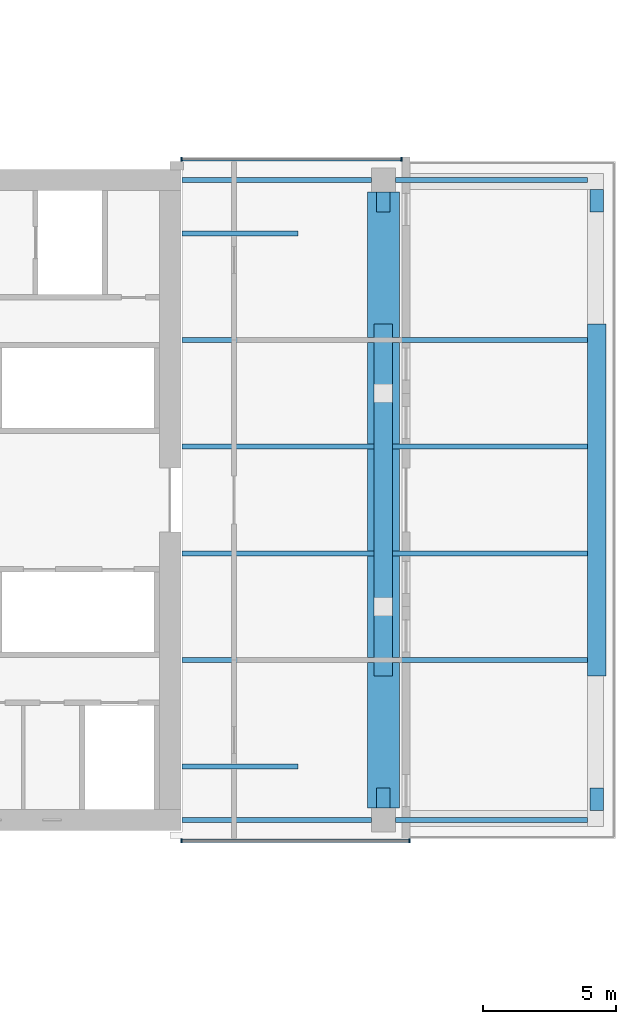
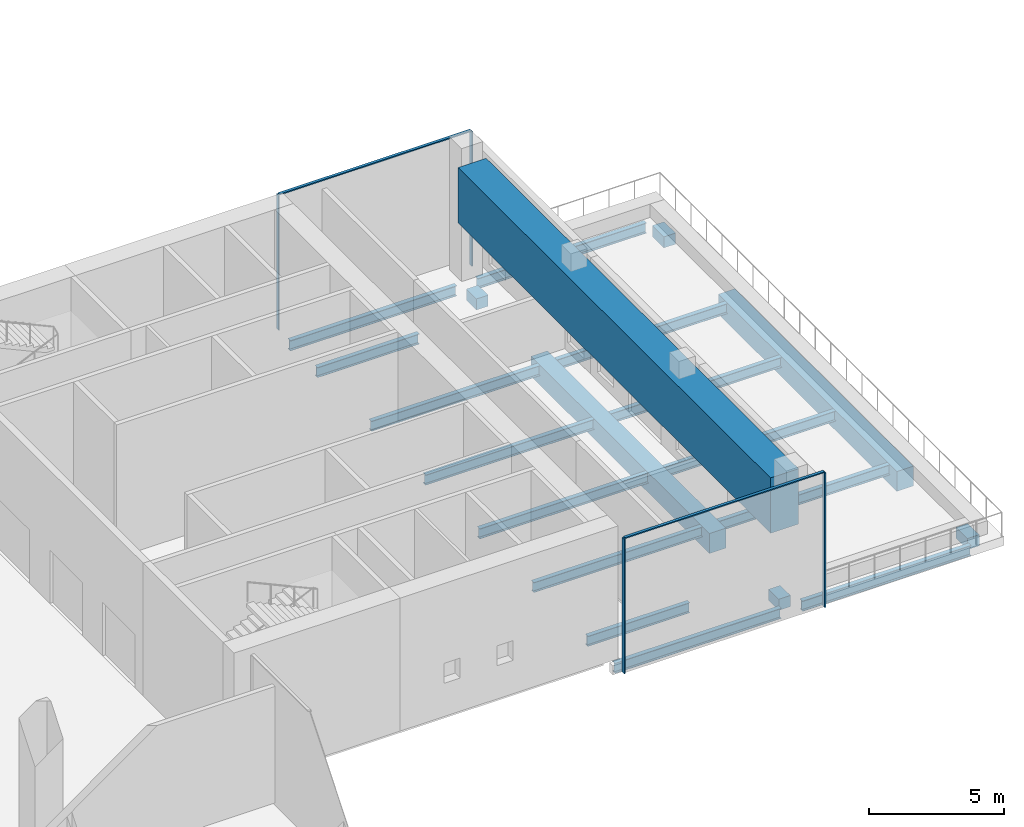
# One storey, part 10 of 23: 21 beams, 6 members, 2 elements without a shape of their own.
"""IFC4 building model written with IfcOpenShell, lengths in metres."""

from ifc_helpers import new_model, si_unit, direction, frame, origin, origin_2d, place, context, subcontext, project, spatial, rectangle, i_section, extrude, material, material_profile, profile_set, type_object, element, aggregate, save


model = new_model("IFC4")

# Units and contexts
model_context = context("Model", 3, precision=1e-05, world=origin(), true_north=direction((0.0, 1.0)))
body_context = subcontext(model_context, "Body", "Model", "MODEL_VIEW")
ifc_project = project(units=[si_unit("LENGTHUNIT", "METRE"), si_unit("AREAUNIT", "SQUARE_METRE"), si_unit("VOLUMEUNIT", "CUBIC_METRE"), si_unit("PLANEANGLEUNIT", "RADIAN"), si_unit("MASSUNIT", "GRAM", prefix="KILO")], contexts=[model_context])

# Site, building, storey
site_placement = place(None, origin())
site = spatial("IfcSite", under=ifc_project, at=site_placement, CompositionType="ELEMENT")
building_placement = place(site_placement, origin())
building = spatial("IfcBuilding", under=site, at=building_placement, Name="Crosswind Convention Tower", CompositionType="ELEMENT")
storey_placement = place(building_placement, frame((0.0, 0.0, 47.5)))
storey = spatial("IfcBuildingStorey", under=building, at=storey_placement, Name="L06", CompositionType="ELEMENT", Elevation=47.5)

# Beams
ifc_material_1 = material(Name="Steel S355", Category="steel")
ifc_material_profile_1 = material_profile(ifc_material_1, i_section(OverallWidth=0.19189453125, OverallDepth=0.463623046875, WebThickness=0.010498046875, FlangeThickness=0.017578125, FilletRadius=0.01025390625, at=origin_2d()), Name="UB 457x191x90")
ifc_profile_set_1 = profile_set([ifc_material_profile_1], Name="Steel S355")
beam_type_1 = type_object("IfcBeamType", Name="Edge beam UB 457x191x90", PredefinedType="SPANDREL", material=ifc_profile_set_1)
for number, where, z_axis, x_axis, name in (
    (1, (153.449951171875, 88.0, -0.6318359375), (1.0, 0.0, 0.0), (0.0, 1.0, 0.0), "B19 L06 edge beam 21"),
    (2, (153.449951171875, 112.0, -0.6318359375), (1.0, 0.0, 0.0), (0.0, 1.0, 0.0), "B19 L06 edge beam 22"),
):
    element("IfcBeam", number, at=place(storey_placement, frame(where, z_axis=z_axis, x_axis=x_axis)), inside=storey, type_object=beam_type_1, Name=name, PredefinedType="SPANDREL", context=body_context, shape_type="SweptSolid", body=[
        extrude(i_section(OverallWidth=0.19189453125, OverallDepth=0.463623046875, WebThickness=0.010498046875, FlangeThickness=0.017578125, FilletRadius=0.01025390625, at=origin_2d()), origin(), (0.0, 0.0, 1.0), 7.10009765625),
    ])
for number, where, z_axis, x_axis, name in (
    (3, (161.449951171875, 88.0, -0.6318359375), (1.0, 0.0, 0.0), (0.0, 1.0, 0.0), "B19 L06 edge beam 23"),
    (4, (161.449951171875, 112.0, -0.6318359375), (1.0, 0.0, 0.0), (0.0, 1.0, 0.0), "B19 L06 edge beam 24"),
):
    element("IfcBeam", number, at=place(storey_placement, frame(where, z_axis=z_axis, x_axis=x_axis)), inside=storey, type_object=beam_type_1, Name=name, PredefinedType="SPANDREL", context=body_context, shape_type="SweptSolid", body=[
        extrude(i_section(OverallWidth=0.19189453125, OverallDepth=0.463623046875, WebThickness=0.010498046875, FlangeThickness=0.017578125, FilletRadius=0.01025390625, at=origin_2d()), origin(), (0.0, 0.0, 1.0), 7.199951171875),
    ])

# Curtain wall, members
ifc_material_2 = material(Name="Aluminium unitised curtain wall", Category="aluminium")
curtain_wall_type = type_object("IfcCurtainWallType", Name="CORE END SLOT WALL 160", PredefinedType="USERDEFINED", material=ifc_material_2)
curtain_wall_1_placement = place(storey_placement, origin())
curtain_wall_1 = element("IfcCurtainWall", 5, at=curtain_wall_1_placement, inside=storey, type_object=curtain_wall_type, Name="CW6 L06 E-N.1-1 slot", ObjectType="UNITISED", PredefinedType="USERDEFINED")
ifc_material_3 = material(Name="Aluminium mullion", Category="aluminium")
ifc_material_profile_2 = material_profile(ifc_material_3, rectangle(XDim=0.159912109375, YDim=0.050048828125, at=origin_2d()), Name="AL 160X50")
ifc_profile_set_2 = profile_set([ifc_material_profile_2], Name="Aluminium mullion")
member_type_1 = type_object("IfcMemberType", Name="MULLION 50X160", PredefinedType="MULLION", material=ifc_profile_set_2)
member_1_placement = place(storey_placement, frame((161.675048828125, 112.780029296875, -0.39990234375), z_axis=(0.0, 0.0, 1.0), x_axis=(0.0, 1.0, 0.0)))
member_1 = element("IfcMember", 6, at=member_1_placement, type_object=member_type_1, Name="CW6 mullion 1", PredefinedType="MULLION", context=body_context, shape_type="SweptSolid", body=[
    extrude(rectangle(XDim=0.159912109375, YDim=0.050048828125, at=origin_2d()), origin(), (0.0, 0.0, 1.0), 6.06982421875),
])
member_2_placement = place(storey_placement, frame((153.425048828125, 112.780029296875, -0.39990234375), z_axis=(0.0, 0.0, 1.0), x_axis=(0.0, 1.0, 0.0)))
member_2 = element("IfcMember", 7, at=member_2_placement, type_object=member_type_1, Name="CW6 mullion 2", PredefinedType="MULLION", context=body_context, shape_type="SweptSolid", body=[
    extrude(rectangle(XDim=0.159912109375, YDim=0.050048828125, at=origin_2d()), origin(), (0.0, 0.0, 1.0), 6.06982421875),
])

curtain_wall_2_placement = place(storey_placement, origin())
curtain_wall_2 = element("IfcCurtainWall", 8, at=curtain_wall_2_placement, inside=storey, type_object=curtain_wall_type, Name="CW6 L06 E-S.2-1 slot", ObjectType="UNITISED", PredefinedType="USERDEFINED")
member_3_placement = place(storey_placement, frame((153.425048828125, 87.219970703125, -0.39990234375), z_axis=(0.0, 0.0, 1.0), x_axis=(0.0, -1.0, 0.0)))
member_3 = element("IfcMember", 9, at=member_3_placement, type_object=member_type_1, Name="CW6 mullion 1", PredefinedType="MULLION", context=body_context, shape_type="SweptSolid", body=[
    extrude(rectangle(XDim=0.159912109375, YDim=0.050048828125, at=origin_2d()), origin(), (0.0, 0.0, 1.0), 6.06982421875),
])
member_4_placement = place(storey_placement, frame((161.97509765625, 87.219970703125, -0.39990234375), z_axis=(0.0, 0.0, 1.0), x_axis=(0.0, -1.0, 0.0)))
member_4 = element("IfcMember", 10, at=member_4_placement, type_object=member_type_1, Name="CW6 mullion 2", PredefinedType="MULLION", context=body_context, shape_type="SweptSolid", body=[
    extrude(rectangle(XDim=0.159912109375, YDim=0.050048828125, at=origin_2d()), origin(), (0.0, 0.0, 1.0), 6.06982421875),
])

# Beams
ifc_material_4 = material(Name="Concrete C60/75", Category="concrete")
ifc_material_profile_3 = material_profile(ifc_material_4, rectangle(XDim=0.699951171875, YDim=0.89990234375, at=origin_2d()), Name="RC 700X900")
ifc_profile_set_3 = profile_set([ifc_material_profile_3], Name="Concrete C60/75")
beam_type_2 = type_object("IfcBeamType", Name="Prestressed concrete girder between stair walls RC 700X900", PredefinedType="BEAM", material=ifc_profile_set_3)
for number, where, z_axis, x_axis, name in (
    (11, (161.0, 93.39990234375, -0.85009765625), (0.0, 1.0, 0.0), (-1.0, 0.0, 0.0), "B41 L06 prestressed concrete girder between stair walls 7"),
    (12, (169.0, 93.39990234375, -0.85009765625), (0.0, 1.0, 0.0), (-1.0, 0.0, 0.0), "B41 L06 prestressed concrete girder between stair walls 8"),
):
    element("IfcBeam", number, at=place(storey_placement, frame(where, z_axis=z_axis, x_axis=x_axis)), inside=storey, type_object=beam_type_2, Name=name, PredefinedType="BEAM", context=body_context, shape_type="SweptSolid", body=[
        extrude(rectangle(XDim=0.699951171875, YDim=0.89990234375, at=origin_2d()), origin(), (0.0, 0.0, 1.0), 13.2001953125),
    ])
ifc_material_profile_4 = material_profile(ifc_material_1, i_section(OverallWidth=0.1904296875, OverallDepth=0.457275390625, WebThickness=0.009033203125, FlangeThickness=0.014404296875, FilletRadius=0.01025390625, at=origin_2d()), Name="UB 457x191x75")
ifc_profile_set_4 = profile_set([ifc_material_profile_4], Name="Steel S355")
beam_type_3 = type_object("IfcBeamType", Name="Secondary beam UB 457x191x75", PredefinedType="JOIST", material=ifc_profile_set_4)
beam_1_placement = place(storey_placement, frame((153.449951171875, 90.0, -0.628662109375), z_axis=(1.0, 0.0, 0.0), x_axis=(0.0, 1.0, 0.0)))
element("IfcBeam", 13, at=beam_1_placement, inside=storey, type_object=beam_type_3, Name="B12 L06 secondary beam 64", PredefinedType="JOIST", context=body_context, shape_type="SweptSolid", body=[
    extrude(i_section(OverallWidth=0.1904296875, OverallDepth=0.457275390625, WebThickness=0.009033203125, FlangeThickness=0.014404296875, FilletRadius=0.01025390625, at=origin_2d()), origin(), (0.0, 0.0, 1.0), 4.35009765625),
])
for number, where, z_axis, x_axis, name in (
    (14, (153.449951171875, 94.0, -0.628662109375), (1.0, 0.0, 0.0), (0.0, 1.0, 0.0), "B12 L06 secondary beam 65"),
    (15, (153.449951171875, 98.0, -0.628662109375), (1.0, 0.0, 0.0), (0.0, 1.0, 0.0), "B12 L06 secondary beam 66"),
    (16, (153.449951171875, 102.0, -0.628662109375), (1.0, 0.0, 0.0), (0.0, 1.0, 0.0), "B12 L06 secondary beam 67"),
    (17, (153.449951171875, 106.0, -0.628662109375), (1.0, 0.0, 0.0), (0.0, 1.0, 0.0), "B12 L06 secondary beam 68"),
):
    element("IfcBeam", number, at=place(storey_placement, frame(where, z_axis=z_axis, x_axis=x_axis)), inside=storey, type_object=beam_type_3, Name=name, PredefinedType="JOIST", context=body_context, shape_type="SweptSolid", body=[
        extrude(i_section(OverallWidth=0.1904296875, OverallDepth=0.457275390625, WebThickness=0.009033203125, FlangeThickness=0.014404296875, FilletRadius=0.01025390625, at=origin_2d()), origin(), (0.0, 0.0, 1.0), 7.199951171875),
    ])
beam_2_placement = place(storey_placement, frame((153.449951171875, 110.0, -0.628662109375), z_axis=(1.0, 0.0, 0.0), x_axis=(0.0, 1.0, 0.0)))
element("IfcBeam", 18, at=beam_2_placement, inside=storey, type_object=beam_type_3, Name="B12 L06 secondary beam 69", PredefinedType="JOIST", context=body_context, shape_type="SweptSolid", body=[
    extrude(i_section(OverallWidth=0.1904296875, OverallDepth=0.457275390625, WebThickness=0.009033203125, FlangeThickness=0.014404296875, FilletRadius=0.01025390625, at=origin_2d()), origin(), (0.0, 0.0, 1.0), 4.35009765625),
])
for number, where, z_axis, x_axis, name in (
    (19, (161.35009765625, 94.0, -0.628662109375), (1.0, 0.0, 0.0), (0.0, 1.0, 0.0), "B12 L06 secondary beam 70"),
    (20, (161.35009765625, 98.0, -0.628662109375), (1.0, 0.0, 0.0), (0.0, 1.0, 0.0), "B12 L06 secondary beam 71"),
    (21, (161.35009765625, 102.0, -0.628662109375), (1.0, 0.0, 0.0), (0.0, 1.0, 0.0), "B12 L06 secondary beam 72"),
    (22, (161.35009765625, 106.0, -0.628662109375), (1.0, 0.0, 0.0), (0.0, 1.0, 0.0), "B12 L06 secondary beam 73"),
):
    element("IfcBeam", number, at=place(storey_placement, frame(where, z_axis=z_axis, x_axis=x_axis)), inside=storey, type_object=beam_type_3, Name=name, PredefinedType="JOIST", context=body_context, shape_type="SweptSolid", body=[
        extrude(i_section(OverallWidth=0.1904296875, OverallDepth=0.457275390625, WebThickness=0.009033203125, FlangeThickness=0.014404296875, FilletRadius=0.01025390625, at=origin_2d()), origin(), (0.0, 0.0, 1.0), 7.2998046875),
    ])
ifc_material_profile_5 = material_profile(ifc_material_4, rectangle(XDim=0.5, YDim=0.5, at=origin_2d()), Name="RC 500X500")
ifc_profile_set_5 = profile_set([ifc_material_profile_5], Name="Concrete C60/75")
beam_type_4 = type_object("IfcBeamType", Name="Slab edge tie beam RC 500X500", PredefinedType="BEAM", material=ifc_profile_set_5)
for number, where, z_axis, x_axis, name in (
    (23, (161.0, 88.449951171875, -0.64990234375), (0.0, 1.0, 0.0), (-1.0, 0.0, 0.0), "B42 L06 slab edge tie beam 13"),
    (24, (161.0, 110.800048828125, -0.64990234375), (0.0, 1.0, 0.0), (-1.0, 0.0, 0.0), "B42 L06 slab edge tie beam 14"),
):
    element("IfcBeam", number, at=place(storey_placement, frame(where, z_axis=z_axis, x_axis=x_axis)), inside=storey, type_object=beam_type_4, Name=name, PredefinedType="BEAM", context=body_context, shape_type="SweptSolid", body=[
        extrude(rectangle(XDim=0.5, YDim=0.5, at=origin_2d()), origin(), (0.0, 0.0, 1.0), 0.75),
    ])
for number, where, z_axis, x_axis, name in (
    (25, (169.0, 88.35009765625, -0.64990234375), (0.0, 1.0, 0.0), (-1.0, 0.0, 0.0), "B42 L06 slab edge tie beam 15"),
    (26, (169.0, 110.800048828125, -0.64990234375), (0.0, 1.0, 0.0), (-1.0, 0.0, 0.0), "B42 L06 slab edge tie beam 16"),
):
    element("IfcBeam", number, at=place(storey_placement, frame(where, z_axis=z_axis, x_axis=x_axis)), inside=storey, type_object=beam_type_4, Name=name, PredefinedType="BEAM", context=body_context, shape_type="SweptSolid", body=[
        extrude(rectangle(XDim=0.5, YDim=0.5, at=origin_2d()), origin(), (0.0, 0.0, 1.0), 0.849853515625),
    ])

# Member
ifc_material_5 = material(Name="Aluminium transom", Category="aluminium")
ifc_material_profile_6 = material_profile(ifc_material_5, rectangle(XDim=0.1201171875, YDim=0.050048828125, at=origin_2d()), Name="AL 120X50")
ifc_profile_set_6 = profile_set([ifc_material_profile_6], Name="Aluminium transom")
member_type_2 = type_object("IfcMemberType", Name="TRANSOM 50X120", PredefinedType="USERDEFINED", material=ifc_profile_set_6)
member_5_placement = place(storey_placement, frame((161.64990234375, 112.780029296875, 5.695068359375), z_axis=(-1.0, 0.0, 0.0), x_axis=(0.0, -1.0, 0.0)))
member_5 = element("IfcMember", 27, at=member_5_placement, type_object=member_type_2, Name="CW6 transom", ObjectType="TRANSOM", PredefinedType="USERDEFINED", context=body_context, shape_type="SweptSolid", body=[
    extrude(rectangle(XDim=0.1201171875, YDim=0.050048828125, at=origin_2d()), origin(), (0.0, 0.0, 1.0), 8.199951171875),
])

aggregate(curtain_wall_1, [member_1, member_2, member_5])

member_6_placement = place(storey_placement, frame((153.449951171875, 87.219970703125, 5.695068359375), z_axis=(1.0, 0.0, 0.0), x_axis=(0.0, 1.0, 0.0)))
member_6 = element("IfcMember", 28, at=member_6_placement, type_object=member_type_2, Name="CW6 transom", ObjectType="TRANSOM", PredefinedType="USERDEFINED", context=body_context, shape_type="SweptSolid", body=[
    extrude(rectangle(XDim=0.1201171875, YDim=0.050048828125, at=origin_2d()), origin(), (0.0, 0.0, 1.0), 8.5),
])

aggregate(curtain_wall_2, [member_3, member_4, member_6])

# Beam
ifc_material_6 = material(Name="Concrete C70/85", Category="concrete")
ifc_material_profile_7 = material_profile(ifc_material_6, rectangle(XDim=1.199951171875, YDim=2.5, at=origin_2d()), Name="RC 1200X2500")
ifc_profile_set_7 = profile_set([ifc_material_profile_7], Name="Concrete C70/85")
beam_type_5 = type_object("IfcBeamType", Name="Transfer girder RC 1200X2500", PredefinedType="BEAM", material=ifc_profile_set_7)
beam_3_placement = place(storey_placement, frame((161.0, 88.449951171875, 3.949951171875), z_axis=(0.0, 1.0, 0.0), x_axis=(-1.0, 0.0, 0.0)))
element("IfcBeam", 29, at=beam_3_placement, inside=storey, type_object=beam_type_5, Name="B40 L06 transfer girder E36", PredefinedType="BEAM", context=body_context, shape_type="SweptSolid", body=[
    extrude(rectangle(XDim=1.199951171875, YDim=2.5, at=origin_2d()), origin(), (0.0, 0.0, 1.0), 23.10009765625),
])

save(model, "model.ifc")
